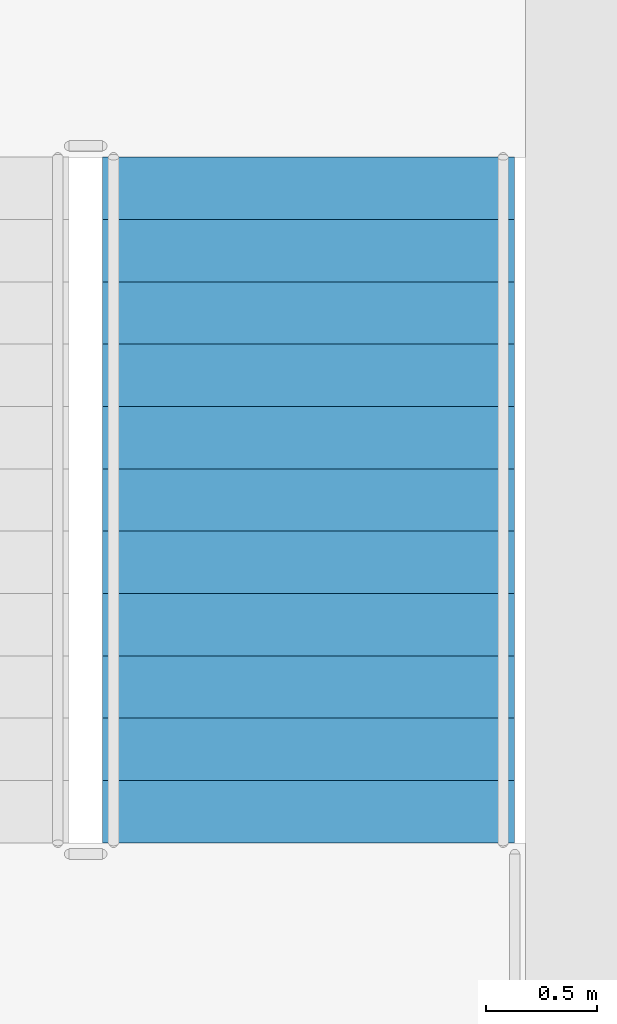
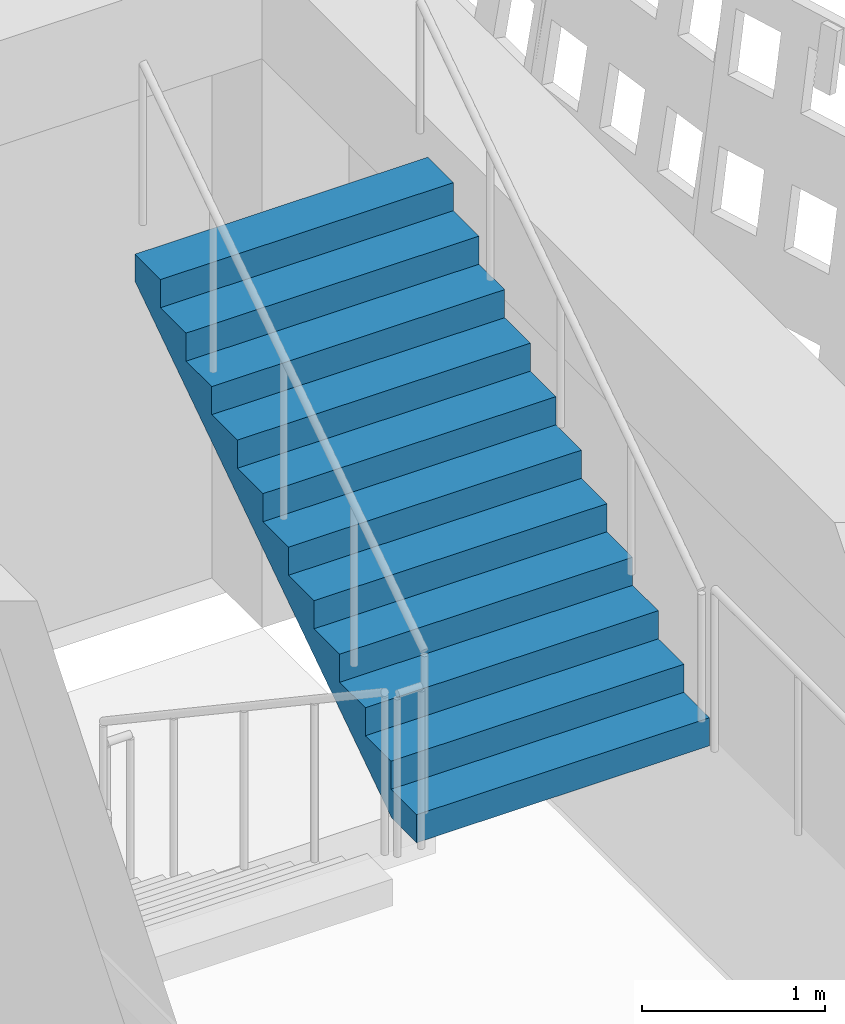
# One storey, part 114 of 163: 1 stair flight, 1 element without a shape of its own.
"""IFC4 building model written with IfcOpenShell, lengths in metres."""

from ifc_helpers import new_model, si_unit, direction, frame, origin, place, context, subcontext, project, spatial, polyline, outline, extrude, material, type_object, element, aggregate, save


model = new_model("IFC4")

# Units and contexts
model_context = context("Model", 3, precision=1e-05, world=origin(), true_north=direction((0.0, 1.0)))
body_context = subcontext(model_context, "Body", "Model", "MODEL_VIEW")
ifc_project = project(units=[si_unit("LENGTHUNIT", "METRE"), si_unit("AREAUNIT", "SQUARE_METRE"), si_unit("VOLUMEUNIT", "CUBIC_METRE"), si_unit("PLANEANGLEUNIT", "RADIAN"), si_unit("MASSUNIT", "GRAM", prefix="KILO")], contexts=[model_context])

# Site, building, storey
site_placement = place(None, origin())
site = spatial("IfcSite", under=ifc_project, at=site_placement, CompositionType="ELEMENT")
building_placement = place(site_placement, origin())
building = spatial("IfcBuilding", under=site, at=building_placement, Name="Rain Tree Exposition and Congress Centre", CompositionType="ELEMENT")
storey_placement = place(building_placement, frame((0.0, 0.0, 10.5)))
storey = spatial("IfcBuildingStorey", under=building, at=storey_placement, Name="L02", CompositionType="ELEMENT", Elevation=10.5)

# Stair, stair flight
ifc_material_1 = material(Name="Precast concrete C50/60", Category="concrete")
stair_type = type_object("IfcStairType", Name="Wing dog-leg stair 1850", PredefinedType="HALF_TURN_STAIR", material=ifc_material_1)
stair_placement = place(storey_placement, origin())
stair = element("IfcStair", 1, at=stair_placement, inside=storey, type_object=stair_type, Name="L02 ST-W4", PredefinedType="HALF_TURN_STAIR")
ifc_material_2 = material(Name="Precast concrete C50/60", Category="concrete")
stair_flight_type = type_object("IfcStairFlightType", Name="Wing stair flight 1850", PredefinedType="STRAIGHT", material=ifc_material_2)
stair_flight_placement = place(storey_placement, frame((49.074951171875, 45.070068359375, 2.25), z_axis=(0.0, 0.0, 1.0), x_axis=(0.0, 1.0, 0.0)))
stair_flight = element("IfcStairFlight", 2, at=stair_flight_placement, type_object=stair_flight_type, Name="ST-W4 flight 2", NumberOfRisers=12, NumberOfTreads=11, PredefinedType="STRAIGHT", RiserHeight=0.1875, TreadLength=0.28, context=body_context, shape_type="SweptSolid", body=[
    extrude(outline(polyline([(0.0, 0.0), (0.0, 0.1875), (0.280029296875, 0.1875), (0.280029296875, 0.375), (0.56005859375, 0.375), (0.56005859375, 0.5625), (0.840087890625, 0.5625), (0.840087890625, 0.75), (1.1201171875, 0.75), (1.1201171875, 0.9375), (1.39990234375, 0.9375), (1.39990234375, 1.125), (1.679931640625, 1.125), (1.679931640625, 1.3125), (1.9599609375, 1.3125), (1.9599609375, 1.5), (2.239990234375, 1.5), (2.239990234375, 1.6875), (2.52001953125, 1.6875), (2.52001953125, 1.875), (2.800048828125, 1.875), (2.800048828125, 2.0625), (3.080078125, 2.0625), (3.080078125, 2.25), (3.080078125, 1.882080078125), (0.26953125, 0.0), (0.0, 0.0)])), frame((0.0, 0.925048828125, 0.0), z_axis=(0.0, -1.0, 0.0), x_axis=(1.0, 0.0, 0.0)), (0.0, 0.0, 1.0), 1.85009765625),
])
aggregate(stair, [stair_flight])

save(model, "model.ifc")
